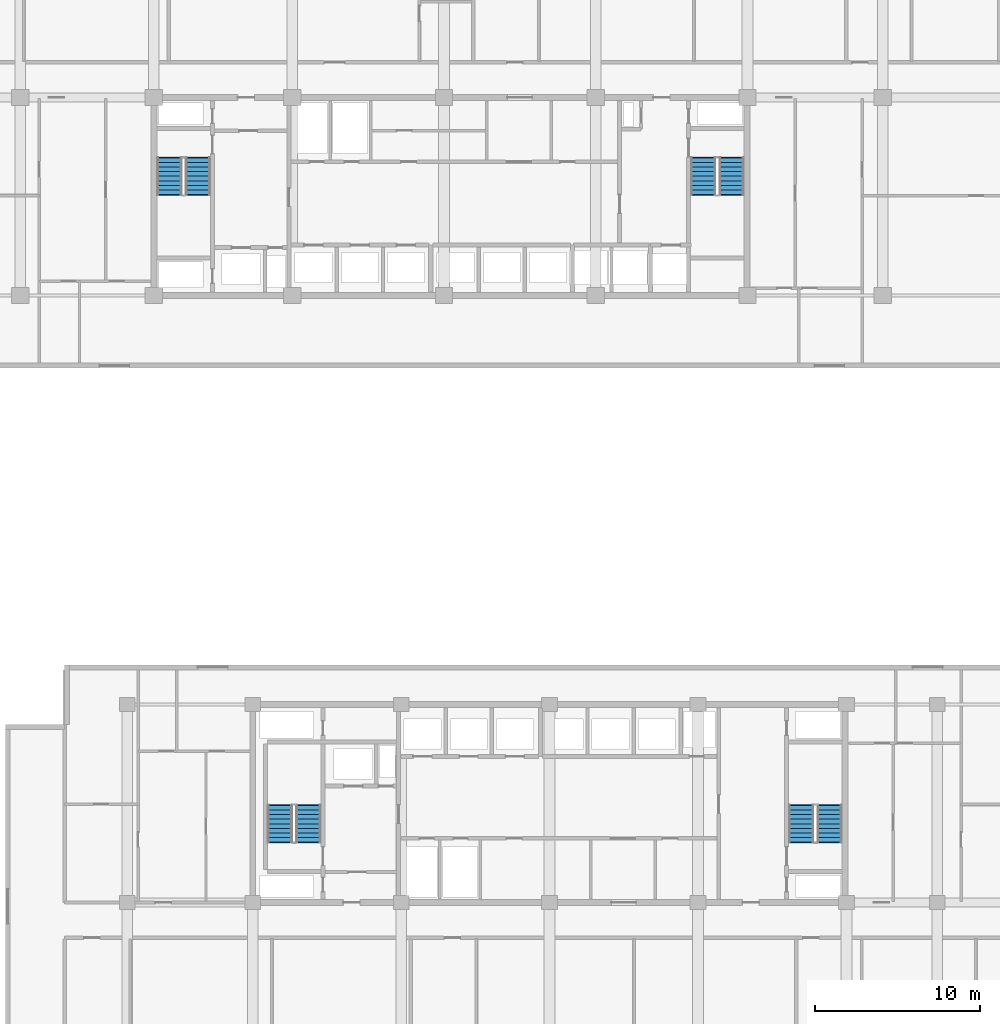
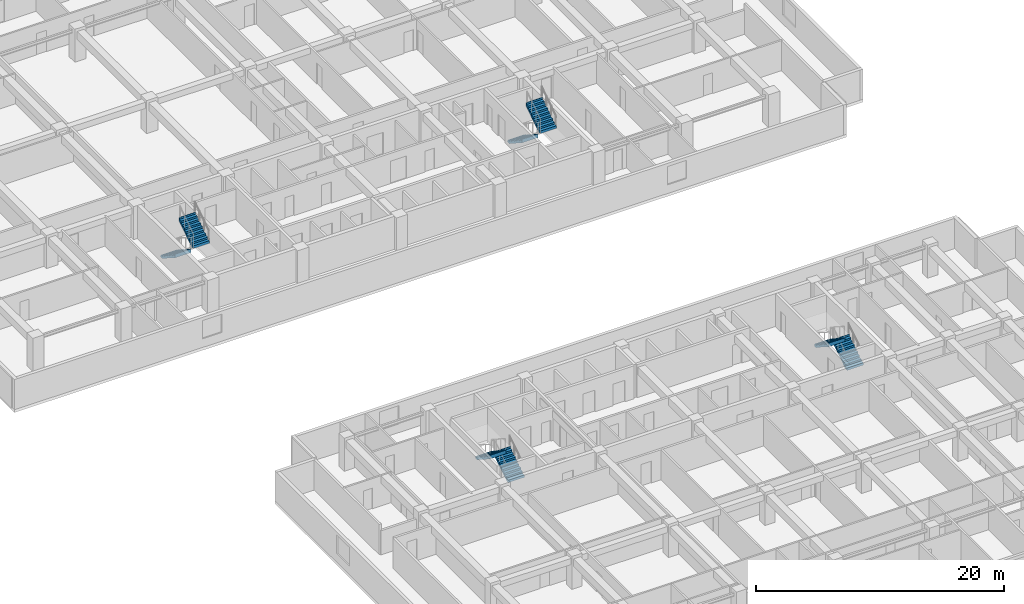
# One storey, part 18 of 23: 8 stair flights, 4 elements without a shape of their own.
"""IFC4 building model written with IfcOpenShell, lengths in metres."""

from ifc_helpers import new_model, si_unit, direction, frame, origin, place, context, subcontext, project, spatial, polyline, outline, extrude, material, type_object, element, aggregate, save


model = new_model("IFC4")

# Units and contexts
model_context = context("Model", 3, precision=1e-05, world=origin(), true_north=direction((0.0, 1.0)))
body_context = subcontext(model_context, "Body", "Model", "MODEL_VIEW")
ifc_project = project(units=[si_unit("LENGTHUNIT", "METRE"), si_unit("AREAUNIT", "SQUARE_METRE"), si_unit("VOLUMEUNIT", "CUBIC_METRE"), si_unit("PLANEANGLEUNIT", "RADIAN"), si_unit("MASSUNIT", "GRAM", prefix="KILO")], contexts=[model_context])

# Site, building, storey
site_placement = place(None, origin())
site = spatial("IfcSite", under=ifc_project, at=site_placement, CompositionType="ELEMENT")
building_placement = place(site_placement, origin())
building = spatial("IfcBuilding", under=site, at=building_placement, Name="Korimba Cascade Residences", CompositionType="ELEMENT")
storey_placement = place(building_placement, frame((0.0, 0.0, 53.25)))
storey = spatial("IfcBuildingStorey", under=building, at=storey_placement, Name="L14", CompositionType="ELEMENT", Elevation=53.25)

# Stair, stair flights
ifc_material = material(Name="Concrete C50/60", Category="concrete")
stair_type_1 = type_object("IfcStairType", Name="STR-W1-18R-1806", PredefinedType="HALF_TURN_STAIR", material=ifc_material)
stair_1_placement = place(storey_placement, origin())
stair_1 = element("IfcStair", 1, at=stair_1_placement, inside=storey, type_object=stair_type_1, Name="L14 Tower 1 West Fire Stair ST-W1", PredefinedType="HALF_TURN_STAIR")
stair_flight_type = type_object("IfcStairFlightType", Name="STF-DL-18R-1806-1520", PredefinedType="STRAIGHT", material=ifc_material)
stair_flight_1_placement = place(storey_placement, frame((77.06005859375, 63.550048828125, 0.0), z_axis=(0.0, 0.0, 1.0), x_axis=(0.0, -1.0, 0.0)))
stair_flight_1 = element("IfcStairFlight", 2, at=stair_flight_1_placement, type_object=stair_flight_type, Name="ST-W1 flight 1", NumberOfRisers=9, NumberOfTreads=8, PredefinedType="STRAIGHT", RiserHeight=0.180555556, TreadLength=0.28, context=body_context, shape_type="SweptSolid", body=[
    extrude(outline(polyline([(-0.0380859375, 0.0), (0.0, 0.1806640625), (0.280029296875, 0.1806640625), (0.280029296875, 0.361083984375), (0.56005859375, 0.361083984375), (0.56005859375, 0.541748046875), (0.840087890625, 0.541748046875), (0.840087890625, 0.72216796875), (1.1201171875, 0.72216796875), (1.1201171875, 0.90283203125), (1.39990234375, 0.90283203125), (1.39990234375, 1.083251953125), (1.679931640625, 1.083251953125), (1.679931640625, 1.263916015625), (1.9599609375, 1.263916015625), (1.9599609375, 1.4443359375), (2.239990234375, 1.4443359375), (2.239990234375, 1.625), (2.278076171875, 1.625), (2.278076171875, 1.26611328125), (0.276611328125, 0.0), (0.276611328125, -0.0380859375), (-0.0380859375, -0.0380859375), (-0.0380859375, 0.0)])), frame((0.0, 0.760009765625, 0.0), z_axis=(0.0, -1.0, 0.0), x_axis=(1.0, 0.0, 0.0)), (0.0, 0.0, 1.0), 1.52001953125),
])
stair_flight_2_placement = place(storey_placement, frame((78.780029296875, 61.31005859375, 1.625), z_axis=(0.0, 0.0, 1.0), x_axis=(0.0, 1.0, 0.0)))
stair_flight_2 = element("IfcStairFlight", 3, at=stair_flight_2_placement, type_object=stair_flight_type, Name="ST-W1 flight 2", NumberOfRisers=9, NumberOfTreads=8, PredefinedType="STRAIGHT", RiserHeight=0.180555556, TreadLength=0.28, context=body_context, shape_type="SweptSolid", body=[
    extrude(outline(polyline([(-0.0380859375, 0.0), (0.0, 0.1806640625), (0.280029296875, 0.1806640625), (0.280029296875, 0.361083984375), (0.56005859375, 0.361083984375), (0.56005859375, 0.541748046875), (0.840087890625, 0.541748046875), (0.840087890625, 0.72216796875), (1.1201171875, 0.72216796875), (1.1201171875, 0.90283203125), (1.39990234375, 0.90283203125), (1.39990234375, 1.083251953125), (1.679931640625, 1.083251953125), (1.679931640625, 1.263916015625), (1.9599609375, 1.263916015625), (1.9599609375, 1.4443359375), (2.239990234375, 1.4443359375), (2.239990234375, 1.625), (2.278076171875, 1.625), (2.278076171875, 1.26611328125), (0.276611328125, 0.0), (0.276611328125, -0.0380859375), (-0.0380859375, -0.0380859375), (-0.0380859375, 0.0)])), frame((0.0, 0.760009765625, 0.0), z_axis=(0.0, -1.0, 0.0), x_axis=(1.0, 0.0, 0.0)), (0.0, 0.0, 1.0), 1.52001953125),
])
aggregate(stair_1, [stair_flight_1, stair_flight_2])

stair_type_2 = type_object("IfcStairType", Name="STR-W2-18R-1806", PredefinedType="HALF_TURN_STAIR", material=ifc_material)
stair_2_placement = place(storey_placement, origin())
stair_2 = element("IfcStair", 4, at=stair_2_placement, inside=storey, type_object=stair_type_2, Name="L14 Tower 1 East Fire Stair ST-W2", PredefinedType="HALF_TURN_STAIR")
stair_flight_3_placement = place(storey_placement, frame((109.419921875, 63.550048828125, 0.0), z_axis=(0.0, 0.0, 1.0), x_axis=(0.0, -1.0, 0.0)))
stair_flight_3 = element("IfcStairFlight", 5, at=stair_flight_3_placement, type_object=stair_flight_type, Name="ST-W2 flight 1", NumberOfRisers=9, NumberOfTreads=8, PredefinedType="STRAIGHT", RiserHeight=0.180555556, TreadLength=0.28, context=body_context, shape_type="SweptSolid", body=[
    extrude(outline(polyline([(-0.0380859375, 0.0), (0.0, 0.1806640625), (0.280029296875, 0.1806640625), (0.280029296875, 0.361083984375), (0.56005859375, 0.361083984375), (0.56005859375, 0.541748046875), (0.840087890625, 0.541748046875), (0.840087890625, 0.72216796875), (1.1201171875, 0.72216796875), (1.1201171875, 0.90283203125), (1.39990234375, 0.90283203125), (1.39990234375, 1.083251953125), (1.679931640625, 1.083251953125), (1.679931640625, 1.263916015625), (1.9599609375, 1.263916015625), (1.9599609375, 1.4443359375), (2.239990234375, 1.4443359375), (2.239990234375, 1.625), (2.278076171875, 1.625), (2.278076171875, 1.26611328125), (0.276611328125, 0.0), (0.276611328125, -0.0380859375), (-0.0380859375, -0.0380859375), (-0.0380859375, 0.0)])), frame((0.0, 0.760009765625, 0.0), z_axis=(0.0, -1.0, 0.0), x_axis=(1.0, 0.0, 0.0)), (0.0, 0.0, 1.0), 1.52001953125),
])
stair_flight_4_placement = place(storey_placement, frame((111.139892578125, 61.31005859375, 1.625), z_axis=(0.0, 0.0, 1.0), x_axis=(0.0, 1.0, 0.0)))
stair_flight_4 = element("IfcStairFlight", 6, at=stair_flight_4_placement, type_object=stair_flight_type, Name="ST-W2 flight 2", NumberOfRisers=9, NumberOfTreads=8, PredefinedType="STRAIGHT", RiserHeight=0.180555556, TreadLength=0.28, context=body_context, shape_type="SweptSolid", body=[
    extrude(outline(polyline([(-0.0380859375, 0.0), (0.0, 0.1806640625), (0.280029296875, 0.1806640625), (0.280029296875, 0.361083984375), (0.56005859375, 0.361083984375), (0.56005859375, 0.541748046875), (0.840087890625, 0.541748046875), (0.840087890625, 0.72216796875), (1.1201171875, 0.72216796875), (1.1201171875, 0.90283203125), (1.39990234375, 0.90283203125), (1.39990234375, 1.083251953125), (1.679931640625, 1.083251953125), (1.679931640625, 1.263916015625), (1.9599609375, 1.263916015625), (1.9599609375, 1.4443359375), (2.239990234375, 1.4443359375), (2.239990234375, 1.625), (2.278076171875, 1.625), (2.278076171875, 1.26611328125), (0.276611328125, 0.0), (0.276611328125, -0.0380859375), (-0.0380859375, -0.0380859375), (-0.0380859375, 0.0)])), frame((0.0, 0.760009765625, 0.0), z_axis=(0.0, -1.0, 0.0), x_axis=(1.0, 0.0, 0.0)), (0.0, 0.0, 1.0), 1.52001953125),
])
aggregate(stair_2, [stair_flight_3, stair_flight_4])

stair_type_3 = type_object("IfcStairType", Name="STR-E1-18R-1806", PredefinedType="HALF_TURN_STAIR", material=ifc_material)
stair_3_placement = place(storey_placement, origin())
stair_3 = element("IfcStair", 7, at=stair_3_placement, inside=storey, type_object=stair_type_3, Name="L14 Tower 2 West Fire Stair ST-E1", PredefinedType="HALF_TURN_STAIR")
stair_flight_5_placement = place(storey_placement, frame((85.47998046875, 22.050048828125, 0.0), z_axis=(0.0, 0.0, 1.0), x_axis=(0.0, 1.0, 0.0)))
stair_flight_5 = element("IfcStairFlight", 8, at=stair_flight_5_placement, type_object=stair_flight_type, Name="ST-E1 flight 1", NumberOfRisers=9, NumberOfTreads=8, PredefinedType="STRAIGHT", RiserHeight=0.180555556, TreadLength=0.28, context=body_context, shape_type="SweptSolid", body=[
    extrude(outline(polyline([(-0.0380859375, 0.0), (0.0, 0.1806640625), (0.280029296875, 0.1806640625), (0.280029296875, 0.361083984375), (0.56005859375, 0.361083984375), (0.56005859375, 0.541748046875), (0.840087890625, 0.541748046875), (0.840087890625, 0.72216796875), (1.1201171875, 0.72216796875), (1.1201171875, 0.90283203125), (1.39990234375, 0.90283203125), (1.39990234375, 1.083251953125), (1.679931640625, 1.083251953125), (1.679931640625, 1.263916015625), (1.9599609375, 1.263916015625), (1.9599609375, 1.4443359375), (2.239990234375, 1.4443359375), (2.239990234375, 1.625), (2.278076171875, 1.625), (2.278076171875, 1.26611328125), (0.276611328125, 0.0), (0.276611328125, -0.0380859375), (-0.0380859375, -0.0380859375), (-0.0380859375, 0.0)])), frame((0.0, 0.760009765625, 0.0), z_axis=(0.0, -1.0, 0.0), x_axis=(1.0, 0.0, 0.0)), (0.0, 0.0, 1.0), 1.52001953125),
])
stair_flight_6_placement = place(storey_placement, frame((83.760009765625, 24.2900390625, 1.625), z_axis=(0.0, 0.0, 1.0), x_axis=(0.0, -1.0, 0.0)))
stair_flight_6 = element("IfcStairFlight", 9, at=stair_flight_6_placement, type_object=stair_flight_type, Name="ST-E1 flight 2", NumberOfRisers=9, NumberOfTreads=8, PredefinedType="STRAIGHT", RiserHeight=0.180555556, TreadLength=0.28, context=body_context, shape_type="SweptSolid", body=[
    extrude(outline(polyline([(-0.0380859375, 0.0), (0.0, 0.1806640625), (0.280029296875, 0.1806640625), (0.280029296875, 0.361083984375), (0.56005859375, 0.361083984375), (0.56005859375, 0.541748046875), (0.840087890625, 0.541748046875), (0.840087890625, 0.72216796875), (1.1201171875, 0.72216796875), (1.1201171875, 0.90283203125), (1.39990234375, 0.90283203125), (1.39990234375, 1.083251953125), (1.679931640625, 1.083251953125), (1.679931640625, 1.263916015625), (1.9599609375, 1.263916015625), (1.9599609375, 1.4443359375), (2.239990234375, 1.4443359375), (2.239990234375, 1.625), (2.278076171875, 1.625), (2.278076171875, 1.26611328125), (0.276611328125, 0.0), (0.276611328125, -0.0380859375), (-0.0380859375, -0.0380859375), (-0.0380859375, 0.0)])), frame((0.0, 0.760009765625, 0.0), z_axis=(0.0, -1.0, 0.0), x_axis=(1.0, 0.0, 0.0)), (0.0, 0.0, 1.0), 1.52001953125),
])
aggregate(stair_3, [stair_flight_5, stair_flight_6])

stair_type_4 = type_object("IfcStairType", Name="STR-E2-18R-1806", PredefinedType="HALF_TURN_STAIR", material=ifc_material)
stair_4_placement = place(storey_placement, origin())
stair_4 = element("IfcStair", 10, at=stair_4_placement, inside=storey, type_object=stair_type_4, Name="L14 Tower 2 East Fire Stair ST-E2", PredefinedType="HALF_TURN_STAIR")
stair_flight_7_placement = place(storey_placement, frame((117.080078125, 22.050048828125, 0.0), z_axis=(0.0, 0.0, 1.0), x_axis=(0.0, 1.0, 0.0)))
stair_flight_7 = element("IfcStairFlight", 11, at=stair_flight_7_placement, type_object=stair_flight_type, Name="ST-E2 flight 1", NumberOfRisers=9, NumberOfTreads=8, PredefinedType="STRAIGHT", RiserHeight=0.180555556, TreadLength=0.28, context=body_context, shape_type="SweptSolid", body=[
    extrude(outline(polyline([(-0.0380859375, 0.0), (0.0, 0.1806640625), (0.280029296875, 0.1806640625), (0.280029296875, 0.361083984375), (0.56005859375, 0.361083984375), (0.56005859375, 0.541748046875), (0.840087890625, 0.541748046875), (0.840087890625, 0.72216796875), (1.1201171875, 0.72216796875), (1.1201171875, 0.90283203125), (1.39990234375, 0.90283203125), (1.39990234375, 1.083251953125), (1.679931640625, 1.083251953125), (1.679931640625, 1.263916015625), (1.9599609375, 1.263916015625), (1.9599609375, 1.4443359375), (2.239990234375, 1.4443359375), (2.239990234375, 1.625), (2.278076171875, 1.625), (2.278076171875, 1.26611328125), (0.276611328125, 0.0), (0.276611328125, -0.0380859375), (-0.0380859375, -0.0380859375), (-0.0380859375, 0.0)])), frame((0.0, 0.760009765625, 0.0), z_axis=(0.0, -1.0, 0.0), x_axis=(1.0, 0.0, 0.0)), (0.0, 0.0, 1.0), 1.52001953125),
])
stair_flight_8_placement = place(storey_placement, frame((115.360107421875, 24.2900390625, 1.625), z_axis=(0.0, 0.0, 1.0), x_axis=(0.0, -1.0, 0.0)))
stair_flight_8 = element("IfcStairFlight", 12, at=stair_flight_8_placement, type_object=stair_flight_type, Name="ST-E2 flight 2", NumberOfRisers=9, NumberOfTreads=8, PredefinedType="STRAIGHT", RiserHeight=0.180555556, TreadLength=0.28, context=body_context, shape_type="SweptSolid", body=[
    extrude(outline(polyline([(-0.0380859375, 0.0), (0.0, 0.1806640625), (0.280029296875, 0.1806640625), (0.280029296875, 0.361083984375), (0.56005859375, 0.361083984375), (0.56005859375, 0.541748046875), (0.840087890625, 0.541748046875), (0.840087890625, 0.72216796875), (1.1201171875, 0.72216796875), (1.1201171875, 0.90283203125), (1.39990234375, 0.90283203125), (1.39990234375, 1.083251953125), (1.679931640625, 1.083251953125), (1.679931640625, 1.263916015625), (1.9599609375, 1.263916015625), (1.9599609375, 1.4443359375), (2.239990234375, 1.4443359375), (2.239990234375, 1.625), (2.278076171875, 1.625), (2.278076171875, 1.26611328125), (0.276611328125, 0.0), (0.276611328125, -0.0380859375), (-0.0380859375, -0.0380859375), (-0.0380859375, 0.0)])), frame((0.0, 0.760009765625, 0.0), z_axis=(0.0, -1.0, 0.0), x_axis=(1.0, 0.0, 0.0)), (0.0, 0.0, 1.0), 1.52001953125),
])
aggregate(stair_4, [stair_flight_7, stair_flight_8])

save(model, "model.ifc")
